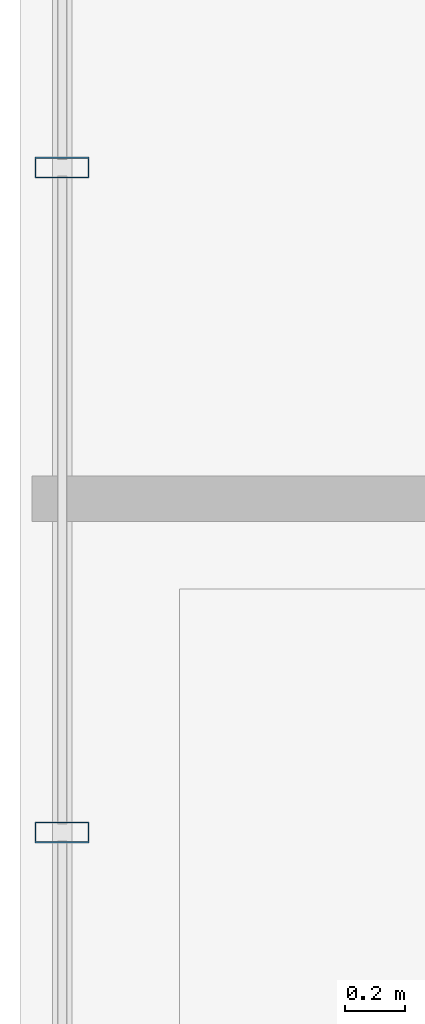
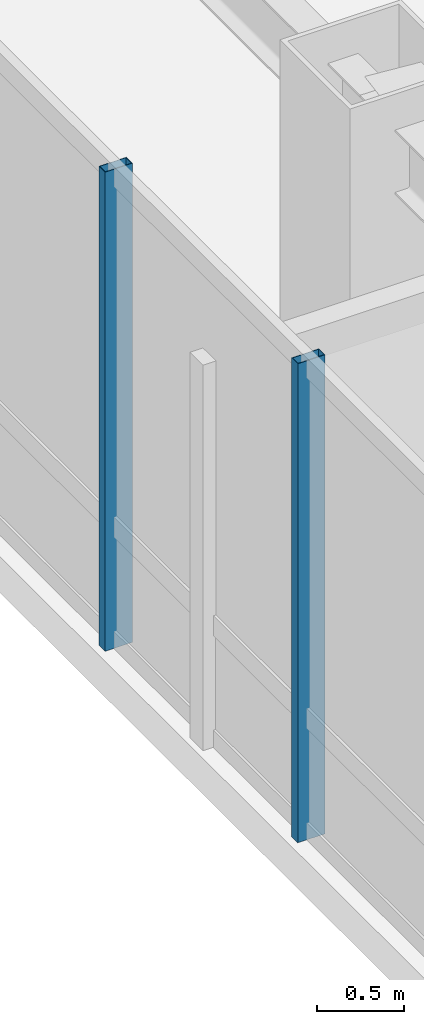
# One storey, part 6 of 28: 2 members, 1 element without a shape of its own.
"""IFC4 building model written with IfcOpenShell, lengths in metres."""

from ifc_helpers import new_model, si_unit, direction, frame, origin, origin_2d, place, context, subcontext, project, spatial, hollow_rectangle, extrude, material, layer, layer_set, material_profile, profile_set, type_object, element, aggregate, save


model = new_model("IFC4")

# Units and contexts
model_context = context("Model", 3, precision=1e-05, world=origin(), true_north=direction((0.0, 1.0)))
body_context = subcontext(model_context, "Body", "Model", "MODEL_VIEW")
ifc_project = project(units=[si_unit("LENGTHUNIT", "METRE"), si_unit("AREAUNIT", "SQUARE_METRE"), si_unit("VOLUMEUNIT", "CUBIC_METRE"), si_unit("PLANEANGLEUNIT", "RADIAN"), si_unit("MASSUNIT", "GRAM", prefix="KILO")], contexts=[model_context])

# Site, building, storey
site_placement = place(None, origin())
site = spatial("IfcSite", under=ifc_project, at=site_placement, CompositionType="ELEMENT")
building_placement = place(site_placement, origin())
building = spatial("IfcBuilding", under=site, at=building_placement, Name="Hatsunagi Terrace Concourse", CompositionType="ELEMENT")
storey_placement = place(building_placement, frame((0.0, 0.0, 138.449951171875)))
storey = spatial("IfcBuildingStorey", under=building, at=storey_placement, Name="L36", CompositionType="ELEMENT", Elevation=138.449951171875)

# Curtain wall, members
ifc_material_1 = material(Name="Anodised Aluminium Alloy 6063-T5", Category="aluminium")
ifc_layer = layer(ifc_material_1, 0.199951171875)
ifc_layer_set = layer_set([ifc_layer], Name="OfficeZone1_CW03")
curtain_wall_type = type_object("IfcCurtainWallType", Name="OfficeZone1_CW03", PredefinedType="NOTDEFINED", material=ifc_layer_set)
curtain_wall_placement = place(storey_placement, origin())
curtain_wall = element("IfcCurtainWall", 1, at=curtain_wall_placement, inside=storey, type_object=curtain_wall_type, Name="Unitised Curtain Wall CW-03 CW-L36-09", PredefinedType="NOTDEFINED")
ifc_material_2 = material(Name="Anodised Aluminium Alloy 6063-T5", Category="aluminium")
ifc_material_profile = material_profile(ifc_material_2, hollow_rectangle(XDim=0.070068359375, YDim=0.179931640625, WallThickness=0.00390625, at=origin_2d()), Name="ALU-MUL-180x70x4")
ifc_profile_set = profile_set([ifc_material_profile], Name="Anodised Aluminium Alloy 6063-T5")
member_type = type_object("IfcMemberType", Name="CurtainWallMullion_180x70", PredefinedType="MULLION", material=ifc_profile_set)
member_1_placement = place(storey_placement, frame((9.739990234375, 34.69189453125, 0.0), z_axis=(0.0, 0.0, 1.0), x_axis=(0.0, 1.0, 0.0)))
member_1 = element("IfcMember", 2, at=member_1_placement, type_object=member_type, Name="Curtain Wall Mullion MUL-02", PredefinedType="MULLION", context=body_context, shape_type="SweptSolid", body=[
    extrude(hollow_rectangle(XDim=0.070068359375, YDim=0.179931640625, WallThickness=0.00390625, at=origin_2d()), origin(), (0.0, 0.0, 1.0), 3.35009765625),
])
member_2_placement = place(storey_placement, frame((9.739990234375, 36.89990234375, 0.0), z_axis=(0.0, 0.0, 1.0), x_axis=(0.0, 1.0, 0.0)))
member_2 = element("IfcMember", 3, at=member_2_placement, type_object=member_type, Name="Curtain Wall Mullion MUL-02", PredefinedType="MULLION", context=body_context, shape_type="SweptSolid", body=[
    extrude(hollow_rectangle(XDim=0.070068359375, YDim=0.179931640625, WallThickness=0.00390625, at=origin_2d()), origin(), (0.0, 0.0, 1.0), 3.35009765625),
])
aggregate(curtain_wall, [member_1, member_2])

save(model, "model.ifc")
